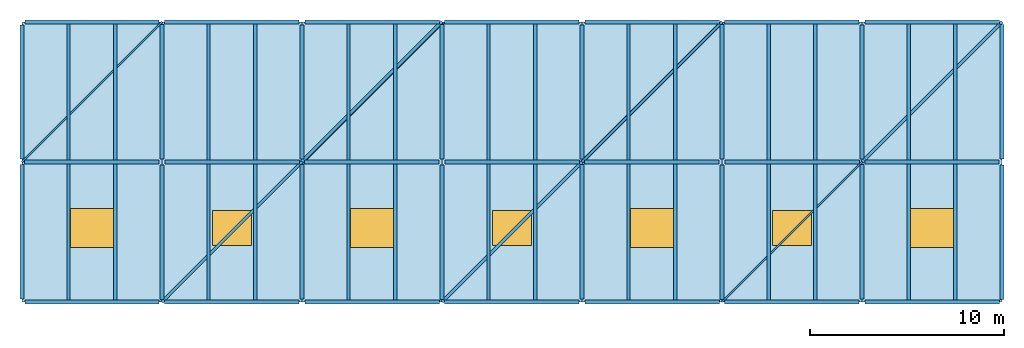
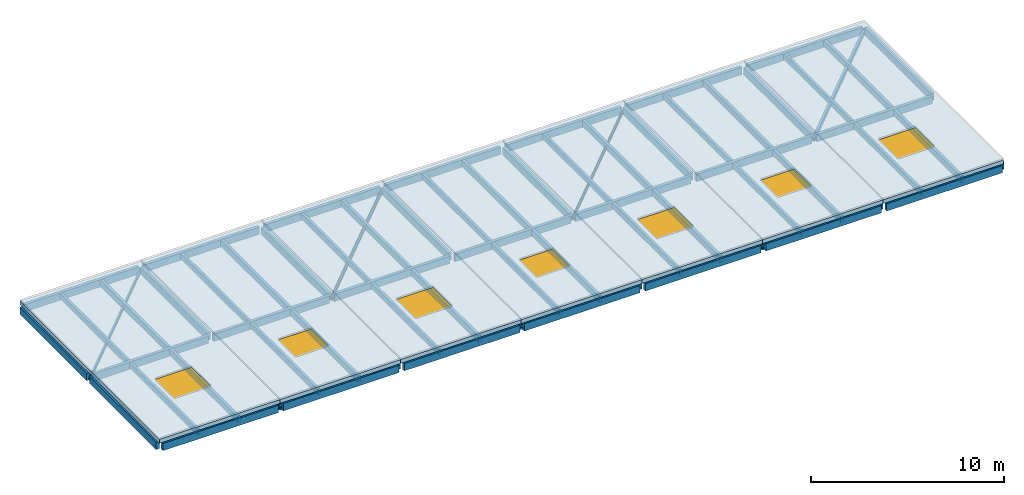
# One storey, part 1 of 2: 65 beams, 7 members, 7 slabs, 7 windows, 7 openings.
"""IFC4 building model written with IfcOpenShell, lengths in metres."""

from ifc_helpers import new_model, si_unit, direction, frame, origin, origin_2d, place, context, subcontext, project, spatial, polyline, rectangle, hollow_rectangle, hollow_circle, outline, extrude, material, layer, layer_set, material_profile, profile_set, type_object, element, fill, save


model = new_model("IFC4")

# Units and contexts
model_context = context("Model", 3, precision=1e-05, world=origin(), true_north=direction((0.0, 1.0)))
body_context = subcontext(model_context, "Body", "Model", "MODEL_VIEW")
ifc_project = project(units=[si_unit("LENGTHUNIT", "METRE"), si_unit("AREAUNIT", "SQUARE_METRE"), si_unit("VOLUMEUNIT", "CUBIC_METRE"), si_unit("PLANEANGLEUNIT", "RADIAN"), si_unit("MASSUNIT", "GRAM", prefix="KILO")], contexts=[model_context])

# Site, building, storey
site_placement = place(None, origin())
site = spatial("IfcSite", under=ifc_project, at=site_placement, CompositionType="ELEMENT")
building_placement = place(site_placement, origin())
building = spatial("IfcBuilding", under=site, at=building_placement, Name="Hawrajan Terrace Health Centre", CompositionType="ELEMENT")
storey_placement = place(building_placement, frame((0.0, 0.0, 21.60009765625)))
storey = spatial("IfcBuildingStorey", under=building, at=storey_placement, Name="RF", CompositionType="ELEMENT", Elevation=21.60009765625)

# Beams
ifc_material_1 = material(Name="Glulam GL28h", Category="wood")
ifc_material_profile_1 = material_profile(ifc_material_1, rectangle(XDim=0.159912109375, YDim=0.360107421875, at=origin_2d()), Name="GL JST 160x360")
ifc_profile_set_1 = profile_set([ifc_material_profile_1], Name="Glulam GL28h")
beam_type_1 = type_object("IfcBeamType", Name="GlulamJoist_160x360", PredefinedType="JOIST", material=ifc_profile_set_1)
for number, where, z_axis, x_axis, name in (
    (1, (7.0, 45.5, -0.43017578125), (0.0, 1.0, 0.0), (-1.0, 0.0, 0.0), "Secondary joist JST-RF-W-01-6-1"),
    (2, (7.0, 52.699951171875, -0.43017578125), (0.0, 1.0, 0.0), (-1.0, 0.0, 0.0), "Secondary joist JST-RF-W-01-7-1"),
    (3, (14.199951171875, 45.5, -0.43017578125), (0.0, 1.0, 0.0), (-1.0, 0.0, 0.0), "Secondary joist JST-RF-W-02-6-1"),
    (4, (14.199951171875, 52.699951171875, -0.43017578125), (0.0, 1.0, 0.0), (-1.0, 0.0, 0.0), "Secondary joist JST-RF-W-02-7-1"),
    (5, (21.39990234375, 45.5, -0.43017578125), (0.0, 1.0, 0.0), (-1.0, 0.0, 0.0), "Secondary joist JST-RF-W-03-6-1"),
    (6, (21.39990234375, 52.699951171875, -0.43017578125), (0.0, 1.0, 0.0), (-1.0, 0.0, 0.0), "Secondary joist JST-RF-W-03-7-1"),
    (7, (28.60009765625, 45.5, -0.43017578125), (0.0, 1.0, 0.0), (-1.0, 0.0, 0.0), "Secondary joist JST-RF-W-04-6-1"),
    (8, (28.60009765625, 52.699951171875, -0.43017578125), (0.0, 1.0, 0.0), (-1.0, 0.0, 0.0), "Secondary joist JST-RF-W-04-7-1"),
    (9, (35.800048828125, 45.5, -0.43017578125), (0.0, 1.0, 0.0), (-1.0, 0.0, 0.0), "Secondary joist JST-RF-W-05-6-1"),
    (10, (35.800048828125, 52.699951171875, -0.43017578125), (0.0, 1.0, 0.0), (-1.0, 0.0, 0.0), "Secondary joist JST-RF-W-05-7-1"),
    (11, (43.0, 45.5, -0.43017578125), (0.0, 1.0, 0.0), (-1.0, 0.0, 0.0), "Secondary joist JST-RF-W-06-6-1"),
    (12, (43.0, 52.699951171875, -0.43017578125), (0.0, 1.0, 0.0), (-1.0, 0.0, 0.0), "Secondary joist JST-RF-W-06-7-1"),
    (13, (50.199951171875, 45.5, -0.43017578125), (0.0, 1.0, 0.0), (-1.0, 0.0, 0.0), "Secondary joist JST-RF-W-07-6-1"),
    (14, (50.199951171875, 52.699951171875, -0.43017578125), (0.0, 1.0, 0.0), (-1.0, 0.0, 0.0), "Secondary joist JST-RF-W-07-7-1"),
):
    element("IfcBeam", number, at=place(storey_placement, frame(where, z_axis=z_axis, x_axis=x_axis)), inside=storey, type_object=beam_type_1, Name=name, PredefinedType="JOIST", context=body_context, shape_type="SweptSolid", body=[
        extrude(rectangle(XDim=0.159912109375, YDim=0.360107421875, at=origin_2d()), origin(), (0.0, 0.0, 1.0), 7.0),
    ])
ifc_material_profile_2 = material_profile(ifc_material_1, rectangle(XDim=0.179931640625, YDim=0.39990234375, at=origin_2d()), Name="GL JST 180x400")
ifc_profile_set_2 = profile_set([ifc_material_profile_2], Name="Glulam GL28h")
beam_type_2 = type_object("IfcBeamType", Name="GlulamJoist_180x400", PredefinedType="JOIST", material=ifc_profile_set_2)
for number, where, z_axis, x_axis, name in (
    (15, (9.39990234375, 45.5, -0.4501953125), (0.0, 1.0, 0.0), (-1.0, 0.0, 0.0), "Secondary joist JST-RF-W-01-6-2"),
    (16, (9.39990234375, 52.699951171875, -0.4501953125), (0.0, 1.0, 0.0), (-1.0, 0.0, 0.0), "Secondary joist JST-RF-W-01-7-2"),
    (17, (16.60009765625, 45.5, -0.4501953125), (0.0, 1.0, 0.0), (-1.0, 0.0, 0.0), "Secondary joist JST-RF-W-02-6-2"),
    (18, (16.60009765625, 52.699951171875, -0.4501953125), (0.0, 1.0, 0.0), (-1.0, 0.0, 0.0), "Secondary joist JST-RF-W-02-7-2"),
    (19, (23.800048828125, 45.5, -0.4501953125), (0.0, 1.0, 0.0), (-1.0, 0.0, 0.0), "Secondary joist JST-RF-W-03-6-2"),
    (20, (23.800048828125, 52.699951171875, -0.4501953125), (0.0, 1.0, 0.0), (-1.0, 0.0, 0.0), "Secondary joist JST-RF-W-03-7-2"),
    (21, (31.0, 45.5, -0.4501953125), (0.0, 1.0, 0.0), (-1.0, 0.0, 0.0), "Secondary joist JST-RF-W-04-6-2"),
    (22, (31.0, 52.699951171875, -0.4501953125), (0.0, 1.0, 0.0), (-1.0, 0.0, 0.0), "Secondary joist JST-RF-W-04-7-2"),
    (23, (38.199951171875, 45.5, -0.4501953125), (0.0, 1.0, 0.0), (-1.0, 0.0, 0.0), "Secondary joist JST-RF-W-05-6-2"),
    (24, (38.199951171875, 52.699951171875, -0.4501953125), (0.0, 1.0, 0.0), (-1.0, 0.0, 0.0), "Secondary joist JST-RF-W-05-7-2"),
    (25, (45.39990234375, 45.5, -0.4501953125), (0.0, 1.0, 0.0), (-1.0, 0.0, 0.0), "Secondary joist JST-RF-W-06-6-2"),
    (26, (45.39990234375, 52.699951171875, -0.4501953125), (0.0, 1.0, 0.0), (-1.0, 0.0, 0.0), "Secondary joist JST-RF-W-06-7-2"),
    (27, (52.60009765625, 45.5, -0.4501953125), (0.0, 1.0, 0.0), (-1.0, 0.0, 0.0), "Secondary joist JST-RF-W-07-6-2"),
    (28, (52.60009765625, 52.699951171875, -0.4501953125), (0.0, 1.0, 0.0), (-1.0, 0.0, 0.0), "Secondary joist JST-RF-W-07-7-2"),
):
    element("IfcBeam", number, at=place(storey_placement, frame(where, z_axis=z_axis, x_axis=x_axis)), inside=storey, type_object=beam_type_2, Name=name, PredefinedType="JOIST", context=body_context, shape_type="SweptSolid", body=[
        extrude(rectangle(XDim=0.179931640625, YDim=0.39990234375, at=origin_2d()), origin(), (0.0, 0.0, 1.0), 7.0),
    ])
ifc_material_2 = material(Name="Glulam GL32h", Category="wood")
ifc_material_profile_3 = material_profile(ifc_material_2, rectangle(XDim=0.199951171875, YDim=0.4599609375, at=origin_2d()), Name="GL SP 200x460")
ifc_profile_set_3 = profile_set([ifc_material_profile_3], Name="Glulam GL32h")
beam_type_3 = type_object("IfcBeamType", Name="GlulamSpandrel_200x460", PredefinedType="SPANDREL", material=ifc_profile_set_3)
for number, where, z_axis, x_axis, name in (
    (29, (4.760009765625, 45.39990234375, -0.47998046875), (1.0, 0.0, 0.0), (0.0, 1.0, 0.0), "Beam BM-X-RF-W-01-Y6"),
    (30, (4.739990234375, 52.60009765625, -0.47998046875), (1.0, 0.0, 0.0), (0.0, 1.0, 0.0), "Beam BM-X-RF-W-01-Y7"),
    (31, (4.760009765625, 59.800048828125, -0.47998046875), (1.0, 0.0, 0.0), (0.0, 1.0, 0.0), "Beam BM-X-RF-W-01-Y8"),
):
    element("IfcBeam", number, at=place(storey_placement, frame(where, z_axis=z_axis, x_axis=x_axis)), inside=storey, type_object=beam_type_3, Name=name, PredefinedType="SPANDREL", context=body_context, shape_type="SweptSolid", body=[
        extrude(rectangle(XDim=0.199951171875, YDim=0.4599609375, at=origin_2d()), origin(), (0.0, 0.0, 1.0), 6.89990234375),
    ])
for number, where, z_axis, x_axis, name in (
    (32, (11.93994140625, 45.39990234375, -0.47998046875), (1.0, 0.0, 0.0), (0.0, 1.0, 0.0), "Beam BM-X-RF-W-02-Y6"),
    (33, (11.9599609375, 52.60009765625, -0.47998046875), (1.0, 0.0, 0.0), (0.0, 1.0, 0.0), "Beam BM-X-RF-W-02-Y7"),
    (34, (11.93994140625, 59.800048828125, -0.47998046875), (1.0, 0.0, 0.0), (0.0, 1.0, 0.0), "Beam BM-X-RF-W-02-Y8"),
    (35, (19.159912109375, 45.39990234375, -0.47998046875), (1.0, 0.0, 0.0), (0.0, 1.0, 0.0), "Beam BM-X-RF-W-03-Y6"),
    (36, (19.139892578125, 52.60009765625, -0.47998046875), (1.0, 0.0, 0.0), (0.0, 1.0, 0.0), "Beam BM-X-RF-W-03-Y7"),
    (37, (19.159912109375, 59.800048828125, -0.47998046875), (1.0, 0.0, 0.0), (0.0, 1.0, 0.0), "Beam BM-X-RF-W-03-Y8"),
):
    element("IfcBeam", number, at=place(storey_placement, frame(where, z_axis=z_axis, x_axis=x_axis)), inside=storey, type_object=beam_type_3, Name=name, PredefinedType="SPANDREL", context=body_context, shape_type="SweptSolid", body=[
        extrude(rectangle(XDim=0.199951171875, YDim=0.4599609375, at=origin_2d()), origin(), (0.0, 0.0, 1.0), 6.900146484375),
    ])
for number, where, z_axis, x_axis, name in (
    (38, (26.340087890625, 45.39990234375, -0.47998046875), (1.0, 0.0, 0.0), (0.0, 1.0, 0.0), "Beam BM-X-RF-W-04-Y6"),
    (39, (26.360107421875, 52.60009765625, -0.47998046875), (1.0, 0.0, 0.0), (0.0, 1.0, 0.0), "Beam BM-X-RF-W-04-Y7"),
    (40, (26.340087890625, 59.800048828125, -0.47998046875), (1.0, 0.0, 0.0), (0.0, 1.0, 0.0), "Beam BM-X-RF-W-04-Y8"),
    (41, (33.56005859375, 45.39990234375, -0.47998046875), (1.0, 0.0, 0.0), (0.0, 1.0, 0.0), "Beam BM-X-RF-W-05-Y6"),
    (42, (33.5400390625, 52.60009765625, -0.47998046875), (1.0, 0.0, 0.0), (0.0, 1.0, 0.0), "Beam BM-X-RF-W-05-Y7"),
    (43, (33.56005859375, 59.800048828125, -0.47998046875), (1.0, 0.0, 0.0), (0.0, 1.0, 0.0), "Beam BM-X-RF-W-05-Y8"),
    (44, (40.739990234375, 45.39990234375, -0.47998046875), (1.0, 0.0, 0.0), (0.0, 1.0, 0.0), "Beam BM-X-RF-W-06-Y6"),
    (45, (40.760009765625, 52.60009765625, -0.47998046875), (1.0, 0.0, 0.0), (0.0, 1.0, 0.0), "Beam BM-X-RF-W-06-Y7"),
    (46, (40.739990234375, 59.800048828125, -0.47998046875), (1.0, 0.0, 0.0), (0.0, 1.0, 0.0), "Beam BM-X-RF-W-06-Y8"),
):
    element("IfcBeam", number, at=place(storey_placement, frame(where, z_axis=z_axis, x_axis=x_axis)), inside=storey, type_object=beam_type_3, Name=name, PredefinedType="SPANDREL", context=body_context, shape_type="SweptSolid", body=[
        extrude(rectangle(XDim=0.199951171875, YDim=0.4599609375, at=origin_2d()), origin(), (0.0, 0.0, 1.0), 6.89990234375),
    ])
for number, where, z_axis, x_axis, name in (
    (47, (47.9599609375, 45.39990234375, -0.47998046875), (1.0, 0.0, 0.0), (0.0, 1.0, 0.0), "Beam BM-X-RF-W-07-Y6"),
    (48, (47.93994140625, 52.60009765625, -0.47998046875), (1.0, 0.0, 0.0), (0.0, 1.0, 0.0), "Beam BM-X-RF-W-07-Y7"),
    (49, (47.9599609375, 59.800048828125, -0.47998046875), (1.0, 0.0, 0.0), (0.0, 1.0, 0.0), "Beam BM-X-RF-W-07-Y8"),
):
    element("IfcBeam", number, at=place(storey_placement, frame(where, z_axis=z_axis, x_axis=x_axis)), inside=storey, type_object=beam_type_3, Name=name, PredefinedType="SPANDREL", context=body_context, shape_type="SweptSolid", body=[
        extrude(rectangle(XDim=0.199951171875, YDim=0.4599609375, at=origin_2d()), origin(), (0.0, 0.0, 1.0), 6.900146484375),
    ])
for number, where, z_axis, x_axis, name in (
    (50, (4.60009765625, 45.56005859375, -0.47998046875), (0.0, 1.0, 0.0), (-1.0, 0.0, 0.0), "Beam BM-Y-RF-W-X01-6"),
    (51, (4.60009765625, 52.739990234375, -0.47998046875), (0.0, 1.0, 0.0), (-1.0, 0.0, 0.0), "Beam BM-Y-RF-W-X01-7"),
    (52, (11.800048828125, 45.5400390625, -0.47998046875), (0.0, 1.0, 0.0), (-1.0, 0.0, 0.0), "Beam BM-Y-RF-W-X02-6"),
    (53, (11.800048828125, 52.760009765625, -0.47998046875), (0.0, 1.0, 0.0), (-1.0, 0.0, 0.0), "Beam BM-Y-RF-W-X02-7"),
    (54, (19.0, 45.56005859375, -0.47998046875), (0.0, 1.0, 0.0), (-1.0, 0.0, 0.0), "Beam BM-Y-RF-W-X03-6"),
    (55, (19.0, 52.739990234375, -0.47998046875), (0.0, 1.0, 0.0), (-1.0, 0.0, 0.0), "Beam BM-Y-RF-W-X03-7"),
    (56, (26.199951171875, 45.5400390625, -0.47998046875), (0.0, 1.0, 0.0), (-1.0, 0.0, 0.0), "Beam BM-Y-RF-W-X04-6"),
    (57, (26.199951171875, 52.760009765625, -0.47998046875), (0.0, 1.0, 0.0), (-1.0, 0.0, 0.0), "Beam BM-Y-RF-W-X04-7"),
    (58, (33.39990234375, 45.56005859375, -0.47998046875), (0.0, 1.0, 0.0), (-1.0, 0.0, 0.0), "Beam BM-Y-RF-W-X05-6"),
    (59, (33.39990234375, 52.739990234375, -0.47998046875), (0.0, 1.0, 0.0), (-1.0, 0.0, 0.0), "Beam BM-Y-RF-W-X05-7"),
    (60, (40.60009765625, 45.5400390625, -0.47998046875), (0.0, 1.0, 0.0), (-1.0, 0.0, 0.0), "Beam BM-Y-RF-W-X06-6"),
    (61, (40.60009765625, 52.760009765625, -0.47998046875), (0.0, 1.0, 0.0), (-1.0, 0.0, 0.0), "Beam BM-Y-RF-W-X06-7"),
    (62, (47.800048828125, 45.56005859375, -0.47998046875), (0.0, 1.0, 0.0), (-1.0, 0.0, 0.0), "Beam BM-Y-RF-W-X07-6"),
    (63, (47.800048828125, 52.739990234375, -0.47998046875), (0.0, 1.0, 0.0), (-1.0, 0.0, 0.0), "Beam BM-Y-RF-W-X07-7"),
    (64, (55.0, 45.5400390625, -0.47998046875), (0.0, 1.0, 0.0), (-1.0, 0.0, 0.0), "Beam BM-Y-RF-W-X08-6"),
    (65, (55.0, 52.760009765625, -0.47998046875), (0.0, 1.0, 0.0), (-1.0, 0.0, 0.0), "Beam BM-Y-RF-W-X08-7"),
):
    element("IfcBeam", number, at=place(storey_placement, frame(where, z_axis=z_axis, x_axis=x_axis)), inside=storey, type_object=beam_type_3, Name=name, PredefinedType="SPANDREL", context=body_context, shape_type="SweptSolid", body=[
        extrude(rectangle(XDim=0.199951171875, YDim=0.4599609375, at=origin_2d()), origin(), (0.0, 0.0, 1.0), 6.89990234375),
    ])

# Members
ifc_material_3 = material(Name="Steel S355", Category="steel")
ifc_material_profile_4 = material_profile(ifc_material_3, hollow_circle(Radius=0.084228515625, WallThickness=0.008056640625, at=origin_2d()), Name="CHS 168.3x8.0")
ifc_profile_set_4 = profile_set([ifc_material_profile_4], Name="Steel S355")
member_type_1 = type_object("IfcMemberType", Name="SteelBrace_CHS168", PredefinedType="BRACE", material=ifc_profile_set_4)
member_1_placement = place(storey_placement, frame((33.39990234375, 52.60009765625, -0.550048828125), z_axis=(0.7071187694, 0.70709479277, 0.0), x_axis=(-0.70709479277, 0.7071187694, 0.0)))
element("IfcMember", 66, at=member_1_placement, inside=storey, type_object=member_type_1, Name="Roof plan brace A 05-7", PredefinedType="BRACE", context=body_context, shape_type="SweptSolid", body=[
    extrude(hollow_circle(Radius=0.084228515625, WallThickness=0.008056640625, at=origin_2d()), origin(), (0.0, 0.0, 1.0), 10.182373046875),
])
ifc_material_profile_5 = material_profile(ifc_material_3, hollow_circle(Radius=0.096923828125, WallThickness=0.010009765625, at=origin_2d()), Name="CHS 193.7x10.0")
ifc_profile_set_5 = profile_set([ifc_material_profile_5], Name="Steel S355")
member_type_2 = type_object("IfcMemberType", Name="SteelBrace_CHS193", PredefinedType="BRACE", material=ifc_profile_set_5)
member_2_placement = place(storey_placement, frame((19.0, 52.60009765625, -0.550048828125), z_axis=(0.707106781187, 0.707106781187, 0.0), x_axis=(-0.707106781187, 0.707106781187, 0.0)))
element("IfcMember", 67, at=member_2_placement, inside=storey, type_object=member_type_2, Name="Roof plan brace A 03-7", PredefinedType="BRACE", context=body_context, shape_type="SweptSolid", body=[
    extrude(hollow_circle(Radius=0.096923828125, WallThickness=0.010009765625, at=origin_2d()), origin(), (0.0, 0.0, 1.0), 10.182373046875),
])
ifc_material_profile_6 = material_profile(ifc_material_3, hollow_rectangle(XDim=0.10009765625, YDim=0.199951171875, WallThickness=0.008056640625, at=origin_2d()), Name="RHS 200x100x8.0")
ifc_profile_set_6 = profile_set([ifc_material_profile_6], Name="Steel S355")
member_type_3 = type_object("IfcMemberType", Name="SteelBrace_RHS200", PredefinedType="BRACE", material=ifc_profile_set_6)
for number, where, z_axis, x_axis, name in (
    (68, (4.60009765625, 52.60009765625, -0.550048828125), (0.707106781187, 0.707106781187, 0.0), (-0.707106781187, 0.707106781187, 0.0), "Roof plan brace A 01-7"),
    (69, (40.60009765625, 45.39990234375, -0.550048828125), (0.70709479277, 0.7071187694, 0.0), (-0.7071187694, 0.70709479277, 0.0), "Roof plan brace A 06-6"),
):
    element("IfcMember", number, at=place(storey_placement, frame(where, z_axis=z_axis, x_axis=x_axis)), inside=storey, type_object=member_type_3, Name=name, PredefinedType="BRACE", context=body_context, shape_type="SweptSolid", body=[
        extrude(hollow_rectangle(XDim=0.10009765625, YDim=0.199951171875, WallThickness=0.008056640625, at=origin_2d()), origin(), (0.0, 0.0, 1.0), 10.182373046875),
    ])
ifc_material_profile_7 = material_profile(ifc_material_3, hollow_rectangle(XDim=0.14990234375, YDim=0.25, WallThickness=0.010009765625, at=origin_2d()), Name="RHS 250x150x10.0")
ifc_profile_set_7 = profile_set([ifc_material_profile_7], Name="Steel S355")
member_type_4 = type_object("IfcMemberType", Name="SteelBrace_RHS250", PredefinedType="BRACE", material=ifc_profile_set_7)
for number, where, z_axis, x_axis, name in (
    (70, (11.800048828125, 45.39990234375, -0.550048828125), (0.70709479277, 0.7071187694, 0.0), (-0.7071187694, 0.70709479277, 0.0), "Roof plan brace A 02-6"),
    (71, (47.800048828125, 52.60009765625, -0.550048828125), (0.707106781187, 0.707106781187, 0.0), (-0.707106781187, 0.707106781187, 0.0), "Roof plan brace A 07-7"),
):
    element("IfcMember", number, at=place(storey_placement, frame(where, z_axis=z_axis, x_axis=x_axis)), inside=storey, type_object=member_type_4, Name=name, PredefinedType="BRACE", context=body_context, shape_type="SweptSolid", body=[
        extrude(hollow_rectangle(XDim=0.14990234375, YDim=0.25, WallThickness=0.010009765625, at=origin_2d()), origin(), (0.0, 0.0, 1.0), 10.182373046875),
    ])
ifc_material_profile_8 = material_profile(ifc_material_3, hollow_rectangle(XDim=0.14990234375, YDim=0.14990234375, WallThickness=0.008056640625, at=origin_2d()), Name="SHS 150x150x8.0")
ifc_profile_set_8 = profile_set([ifc_material_profile_8], Name="Steel S355")
member_type_5 = type_object("IfcMemberType", Name="SteelBrace_SHS150", PredefinedType="BRACE", material=ifc_profile_set_8)
member_3_placement = place(storey_placement, frame((26.199951171875, 45.39990234375, -0.550048828125), z_axis=(0.70709479277, 0.7071187694, 0.0), x_axis=(-0.7071187694, 0.70709479277, 0.0)))
element("IfcMember", 72, at=member_3_placement, inside=storey, type_object=member_type_5, Name="Roof plan brace A 04-6", PredefinedType="BRACE", context=body_context, shape_type="SweptSolid", body=[
    extrude(hollow_rectangle(XDim=0.14990234375, YDim=0.14990234375, WallThickness=0.008056640625, at=origin_2d()), origin(), (0.0, 0.0, 1.0), 10.182373046875),
])

# Slab, opening, window
ifc_material_4 = material(Name="Cross-laminated timber CLT C24", Category="wood")
ifc_layer = layer(ifc_material_4, 0.25)
ifc_layer_set = layer_set([ifc_layer], Name="Cross-laminated timber CLT C24")
slab_type = type_object("IfcSlabType", Name="RoofSlab_Ziggurat250", PredefinedType="ROOF", material=ifc_layer_set)
slab_1_placement = place(storey_placement, frame((0.0, 0.0, -0.25)))
slab_1 = element("IfcSlab", 73, at=slab_1_placement, inside=storey, type_object=slab_type, Name="Top ziggurat cool roof slab RF-V2-TOP-01", PredefinedType="ROOF", context=body_context, shape_type="SweptSolid", body=[
    extrude(outline(polyline([(4.60009765625, 45.39990234375), (11.800048828125, 45.39990234375), (11.800048828125, 59.800048828125), (4.60009765625, 59.800048828125), (4.60009765625, 45.39990234375)]), holes=[polyline([(7.10009765625, 48.199951171875), (9.300048828125, 48.199951171875), (9.300048828125, 50.199951171875), (7.10009765625, 50.199951171875), (7.10009765625, 48.199951171875)])]), origin(), (0.0, 0.0, 1.0), 0.25),
])
opening_1_placement = place(slab_1_placement, frame((8.199951171875, 49.199951171875, -0.010009765625)))
opening_1 = element("IfcOpeningElement", 74, at=opening_1_placement, cuts=slab_1, Name="Opening SK-RF-01", PredefinedType="OPENING", context=body_context, shape_type="SweptSolid", body=[
    extrude(rectangle(XDim=2.199951171875, YDim=2.0, at=origin_2d()), origin(), (0.0, 0.0, 1.0), 0.27001953125),
])
ifc_material_5 = material(Name="Thermally broken bronze skylight with laminated solar glass", Category="glass")
window_type_1 = type_object("IfcWindowType", Name="RoofSkylight_2200x2000", PartitioningType="SINGLE_PANEL", PredefinedType="SKYLIGHT", material=ifc_material_5)
window_1_placement = place(opening_1_placement, frame((0.0, 0.0, 0.2099609375)))
window_1 = element("IfcWindow", 75, at=window_1_placement, inside=storey, type_object=window_type_1, Name="Crown roof skylight SK-RF-01", OverallHeight=2.0, OverallWidth=2.199951171875, PartitioningType="SINGLE_PANEL", PredefinedType="SKYLIGHT", context=body_context, shape_type="SweptSolid", body=[
    extrude(rectangle(XDim=2.199951171875, YDim=2.0, at=origin_2d()), origin(), (0.0, 0.0, 1.0), 0.050048828125),
])
fill(opening_1, window_1)

slab_2_placement = place(storey_placement, frame((0.0, 0.0, -0.25)))
slab_2 = element("IfcSlab", 76, at=slab_2_placement, inside=storey, type_object=slab_type, Name="Top ziggurat cool roof slab RF-V2-TOP-02", PredefinedType="ROOF", context=body_context, shape_type="SweptSolid", body=[
    extrude(outline(polyline([(11.800048828125, 45.39990234375), (19.0, 45.39990234375), (19.0, 59.800048828125), (11.800048828125, 59.800048828125), (11.800048828125, 45.39990234375)]), holes=[polyline([(14.39990234375, 48.300048828125), (16.39990234375, 48.300048828125), (16.39990234375, 50.10009765625), (14.39990234375, 50.10009765625), (14.39990234375, 48.300048828125)])]), origin(), (0.0, 0.0, 1.0), 0.25),
])
opening_2_placement = place(slab_2_placement, frame((15.39990234375, 49.199951171875, -0.010009765625)))
opening_2 = element("IfcOpeningElement", 77, at=opening_2_placement, cuts=slab_2, Name="Opening SK-RF-02", PredefinedType="OPENING", context=body_context, shape_type="SweptSolid", body=[
    extrude(rectangle(XDim=2.0, YDim=1.800048828125, at=origin_2d()), origin(), (0.0, 0.0, 1.0), 0.27001953125),
])
window_type_2 = type_object("IfcWindowType", Name="RoofSkylight_2000x1800", PartitioningType="SINGLE_PANEL", PredefinedType="SKYLIGHT", material=ifc_material_5)
window_2_placement = place(opening_2_placement, frame((0.0, 0.0, 0.2099609375)))
window_2 = element("IfcWindow", 78, at=window_2_placement, inside=storey, type_object=window_type_2, Name="Crown roof skylight SK-RF-02", OverallHeight=1.800048828125, OverallWidth=2.0, PartitioningType="SINGLE_PANEL", PredefinedType="SKYLIGHT", context=body_context, shape_type="SweptSolid", body=[
    extrude(rectangle(XDim=2.0, YDim=1.800048828125, at=origin_2d()), origin(), (0.0, 0.0, 1.0), 0.050048828125),
])
fill(opening_2, window_2)

slab_3_placement = place(storey_placement, frame((0.0, 0.0, -0.25)))
slab_3 = element("IfcSlab", 79, at=slab_3_placement, inside=storey, type_object=slab_type, Name="Top ziggurat cool roof slab RF-V2-TOP-03", PredefinedType="ROOF", context=body_context, shape_type="SweptSolid", body=[
    extrude(outline(polyline([(19.0, 45.39990234375), (26.199951171875, 45.39990234375), (26.199951171875, 59.800048828125), (19.0, 59.800048828125), (19.0, 45.39990234375)]), holes=[polyline([(21.5, 48.199951171875), (23.699951171875, 48.199951171875), (23.699951171875, 50.199951171875), (21.5, 50.199951171875), (21.5, 48.199951171875)])]), origin(), (0.0, 0.0, 1.0), 0.25),
])
opening_3_placement = place(slab_3_placement, frame((22.60009765625, 49.199951171875, -0.010009765625)))
opening_3 = element("IfcOpeningElement", 80, at=opening_3_placement, cuts=slab_3, Name="Opening SK-RF-03", PredefinedType="OPENING", context=body_context, shape_type="SweptSolid", body=[
    extrude(rectangle(XDim=2.199951171875, YDim=2.0, at=origin_2d()), origin(), (0.0, 0.0, 1.0), 0.27001953125),
])
window_3_placement = place(opening_3_placement, frame((0.0, 0.0, 0.2099609375)))
window_3 = element("IfcWindow", 81, at=window_3_placement, inside=storey, type_object=window_type_1, Name="Crown roof skylight SK-RF-03", OverallHeight=2.0, OverallWidth=2.199951171875, PartitioningType="SINGLE_PANEL", PredefinedType="SKYLIGHT", context=body_context, shape_type="SweptSolid", body=[
    extrude(rectangle(XDim=2.199951171875, YDim=2.0, at=origin_2d()), origin(), (0.0, 0.0, 1.0), 0.050048828125),
])
fill(opening_3, window_3)

slab_4_placement = place(storey_placement, frame((0.0, 0.0, -0.25)))
slab_4 = element("IfcSlab", 82, at=slab_4_placement, inside=storey, type_object=slab_type, Name="Top ziggurat cool roof slab RF-V2-TOP-04", PredefinedType="ROOF", context=body_context, shape_type="SweptSolid", body=[
    extrude(outline(polyline([(26.199951171875, 45.39990234375), (33.39990234375, 45.39990234375), (33.39990234375, 59.800048828125), (26.199951171875, 59.800048828125), (26.199951171875, 45.39990234375)]), holes=[polyline([(28.800048828125, 48.300048828125), (30.800048828125, 48.300048828125), (30.800048828125, 50.10009765625), (28.800048828125, 50.10009765625), (28.800048828125, 48.300048828125)])]), origin(), (0.0, 0.0, 1.0), 0.25),
])
opening_4_placement = place(slab_4_placement, frame((29.800048828125, 49.199951171875, -0.010009765625)))
opening_4 = element("IfcOpeningElement", 83, at=opening_4_placement, cuts=slab_4, Name="Opening SK-RF-04", PredefinedType="OPENING", context=body_context, shape_type="SweptSolid", body=[
    extrude(rectangle(XDim=2.0, YDim=1.800048828125, at=origin_2d()), origin(), (0.0, 0.0, 1.0), 0.27001953125),
])
window_4_placement = place(opening_4_placement, frame((0.0, 0.0, 0.2099609375)))
window_4 = element("IfcWindow", 84, at=window_4_placement, inside=storey, type_object=window_type_2, Name="Crown roof skylight SK-RF-04", OverallHeight=1.800048828125, OverallWidth=2.0, PartitioningType="SINGLE_PANEL", PredefinedType="SKYLIGHT", context=body_context, shape_type="SweptSolid", body=[
    extrude(rectangle(XDim=2.0, YDim=1.800048828125, at=origin_2d()), origin(), (0.0, 0.0, 1.0), 0.050048828125),
])
fill(opening_4, window_4)

slab_5_placement = place(storey_placement, frame((0.0, 0.0, -0.25)))
slab_5 = element("IfcSlab", 85, at=slab_5_placement, inside=storey, type_object=slab_type, Name="Top ziggurat cool roof slab RF-V2-TOP-05", PredefinedType="ROOF", context=body_context, shape_type="SweptSolid", body=[
    extrude(outline(polyline([(33.39990234375, 45.39990234375), (40.60009765625, 45.39990234375), (40.60009765625, 59.800048828125), (33.39990234375, 59.800048828125), (33.39990234375, 45.39990234375)]), holes=[polyline([(35.89990234375, 48.199951171875), (38.10009765625, 48.199951171875), (38.10009765625, 50.199951171875), (35.89990234375, 50.199951171875), (35.89990234375, 48.199951171875)])]), origin(), (0.0, 0.0, 1.0), 0.25),
])
opening_5_placement = place(slab_5_placement, frame((37.0, 49.199951171875, -0.010009765625)))
opening_5 = element("IfcOpeningElement", 86, at=opening_5_placement, cuts=slab_5, Name="Opening SK-RF-05", PredefinedType="OPENING", context=body_context, shape_type="SweptSolid", body=[
    extrude(rectangle(XDim=2.199951171875, YDim=2.0, at=origin_2d()), origin(), (0.0, 0.0, 1.0), 0.27001953125),
])
window_5_placement = place(opening_5_placement, frame((0.0, 0.0, 0.2099609375)))
window_5 = element("IfcWindow", 87, at=window_5_placement, inside=storey, type_object=window_type_1, Name="Crown roof skylight SK-RF-05", OverallHeight=2.0, OverallWidth=2.199951171875, PartitioningType="SINGLE_PANEL", PredefinedType="SKYLIGHT", context=body_context, shape_type="SweptSolid", body=[
    extrude(rectangle(XDim=2.199951171875, YDim=2.0, at=origin_2d()), origin(), (0.0, 0.0, 1.0), 0.050048828125),
])
fill(opening_5, window_5)

slab_6_placement = place(storey_placement, frame((0.0, 0.0, -0.25)))
slab_6 = element("IfcSlab", 88, at=slab_6_placement, inside=storey, type_object=slab_type, Name="Top ziggurat cool roof slab RF-V2-TOP-06", PredefinedType="ROOF", context=body_context, shape_type="SweptSolid", body=[
    extrude(outline(polyline([(40.60009765625, 45.39990234375), (47.800048828125, 45.39990234375), (47.800048828125, 59.800048828125), (40.60009765625, 59.800048828125), (40.60009765625, 45.39990234375)]), holes=[polyline([(43.199951171875, 48.300048828125), (45.199951171875, 48.300048828125), (45.199951171875, 50.10009765625), (43.199951171875, 50.10009765625), (43.199951171875, 48.300048828125)])]), origin(), (0.0, 0.0, 1.0), 0.25),
])
opening_6_placement = place(slab_6_placement, frame((44.199951171875, 49.199951171875, -0.010009765625)))
opening_6 = element("IfcOpeningElement", 89, at=opening_6_placement, cuts=slab_6, Name="Opening SK-RF-06", PredefinedType="OPENING", context=body_context, shape_type="SweptSolid", body=[
    extrude(rectangle(XDim=2.0, YDim=1.800048828125, at=origin_2d()), origin(), (0.0, 0.0, 1.0), 0.27001953125),
])
window_6_placement = place(opening_6_placement, frame((0.0, 0.0, 0.2099609375)))
window_6 = element("IfcWindow", 90, at=window_6_placement, inside=storey, type_object=window_type_2, Name="Crown roof skylight SK-RF-06", OverallHeight=1.800048828125, OverallWidth=2.0, PartitioningType="SINGLE_PANEL", PredefinedType="SKYLIGHT", context=body_context, shape_type="SweptSolid", body=[
    extrude(rectangle(XDim=2.0, YDim=1.800048828125, at=origin_2d()), origin(), (0.0, 0.0, 1.0), 0.050048828125),
])
fill(opening_6, window_6)

slab_7_placement = place(storey_placement, frame((0.0, 0.0, -0.25)))
slab_7 = element("IfcSlab", 91, at=slab_7_placement, inside=storey, type_object=slab_type, Name="Top ziggurat cool roof slab RF-V2-TOP-07", PredefinedType="ROOF", context=body_context, shape_type="SweptSolid", body=[
    extrude(outline(polyline([(47.800048828125, 45.39990234375), (55.0, 45.39990234375), (55.0, 59.800048828125), (47.800048828125, 59.800048828125), (47.800048828125, 45.39990234375)]), holes=[polyline([(50.300048828125, 48.199951171875), (52.5, 48.199951171875), (52.5, 50.199951171875), (50.300048828125, 50.199951171875), (50.300048828125, 48.199951171875)])]), origin(), (0.0, 0.0, 1.0), 0.25),
])
opening_7_placement = place(slab_7_placement, frame((51.39990234375, 49.199951171875, -0.010009765625)))
opening_7 = element("IfcOpeningElement", 92, at=opening_7_placement, cuts=slab_7, Name="Opening SK-RF-07", PredefinedType="OPENING", context=body_context, shape_type="SweptSolid", body=[
    extrude(rectangle(XDim=2.199951171875, YDim=2.0, at=origin_2d()), origin(), (0.0, 0.0, 1.0), 0.27001953125),
])
window_7_placement = place(opening_7_placement, frame((0.0, 0.0, 0.2099609375)))
window_7 = element("IfcWindow", 93, at=window_7_placement, inside=storey, type_object=window_type_1, Name="Crown roof skylight SK-RF-07", OverallHeight=2.0, OverallWidth=2.199951171875, PartitioningType="SINGLE_PANEL", PredefinedType="SKYLIGHT", context=body_context, shape_type="SweptSolid", body=[
    extrude(rectangle(XDim=2.199951171875, YDim=2.0, at=origin_2d()), origin(), (0.0, 0.0, 1.0), 0.050048828125),
])
fill(opening_7, window_7)

save(model, "model.ifc")
